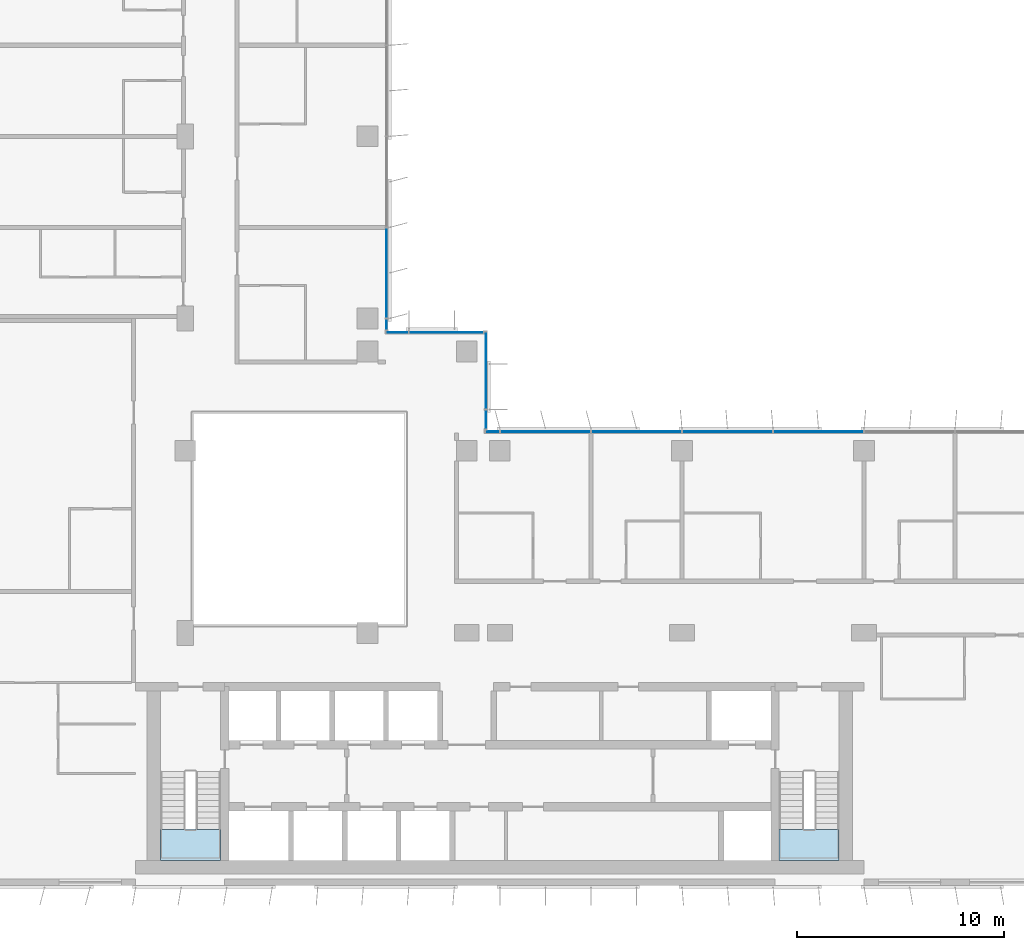
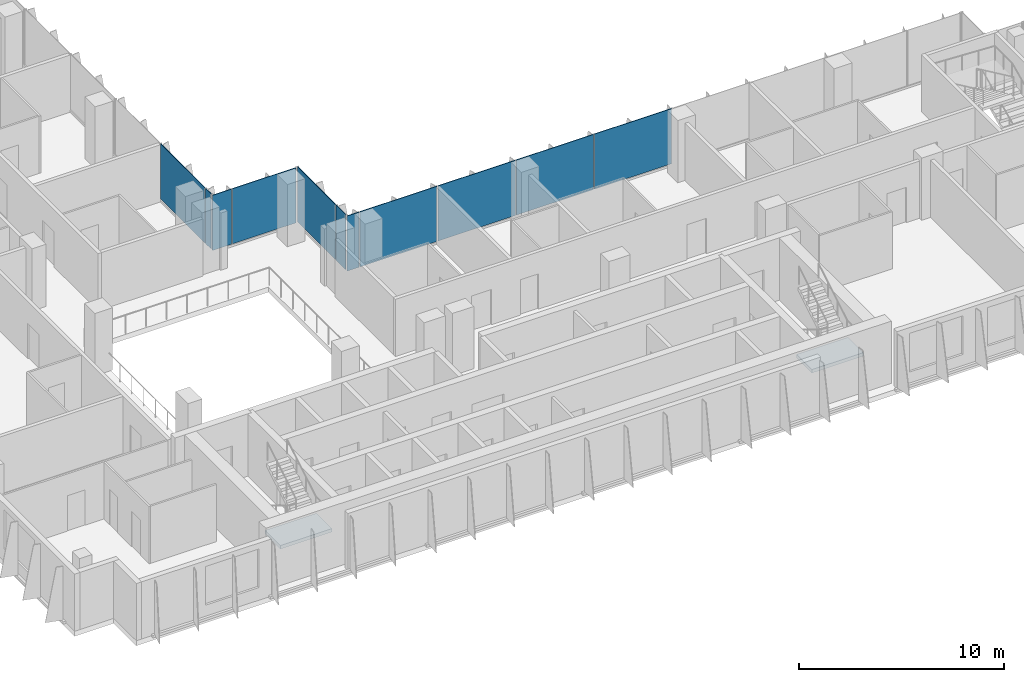
# One storey, part 10 of 21: 11 plates, 2 slabs, 6 elements without a shape of their own.
"""IFC4 building model written with IfcOpenShell, lengths in metres."""

from ifc_helpers import new_model, si_unit, direction, frame, origin, origin_2d, place, context, subcontext, project, spatial, polyline, rectangle, outline, extrude, source, transform, mapped, material, layer, layer_set, type_object, element, aggregate, save


model = new_model("IFC4")

# Units and contexts
model_context = context("Model", 3, precision=1e-05, world=origin(), true_north=direction((0.0, 1.0)))
body_context = subcontext(model_context, "Body", "Model", "MODEL_VIEW")
ifc_project = project(units=[si_unit("LENGTHUNIT", "METRE"), si_unit("AREAUNIT", "SQUARE_METRE"), si_unit("VOLUMEUNIT", "CUBIC_METRE"), si_unit("PLANEANGLEUNIT", "RADIAN"), si_unit("MASSUNIT", "GRAM", prefix="KILO")], contexts=[model_context])

# Site, building, storey
site_placement = place(None, origin())
site = spatial("IfcSite", under=ifc_project, at=site_placement, CompositionType="ELEMENT")
building_placement = place(site_placement, origin())
building = spatial("IfcBuilding", under=site, at=building_placement, Name="Kemantara Hotel Tower", CompositionType="ELEMENT")
storey_placement = place(building_placement, frame((0.0, 0.0, 160.5)))
storey = spatial("IfcBuildingStorey", under=building, at=storey_placement, Name="L39", CompositionType="ELEMENT", Elevation=160.5)

# Stair, slab
ifc_material_1 = material(Name="Concrete fc 40 MPa", Category="concrete")
stair_type = type_object("IfcStairType", Name="Stair 1200 wide 22 risers of 168 x 280 mm", PredefinedType="HALF_TURN_STAIR", material=ifc_material_1)
stair_1_placement = place(storey_placement, origin())
stair_1 = element("IfcStair", 1, at=stair_1_placement, inside=storey, type_object=stair_type, Name="L39 Exit stair ST1", PredefinedType="HALF_TURN_STAIR")
ifc_layer_1 = layer(ifc_material_1, 0.199951171875)
ifc_layer_set_1 = layer_set([ifc_layer_1], Name="Concrete fc 40 MPa")
slab_type = type_object("IfcSlabType", Name="Stair landing 200 mm", PredefinedType="LANDING", material=ifc_layer_set_1)
slab_1_placement = place(storey_placement, frame((0.0, 0.0, 1.64990234375)))
slab_1 = element("IfcSlab", 2, at=slab_1_placement, type_object=slab_type, Name="ST1 landing 1", PredefinedType="LANDING", context=body_context, shape_type="SweptSolid", body=[
    extrude(outline(polyline([(11.0, 2.699951171875), (11.0, 1.199951171875), (13.89990234375, 1.199951171875), (13.89990234375, 2.699951171875), (11.0, 2.699951171875)])), origin(), (0.0, 0.0, 1.0), 0.2001953125),
])
aggregate(stair_1, [slab_1])

stair_2_placement = place(storey_placement, origin())
stair_2 = element("IfcStair", 3, at=stair_2_placement, inside=storey, type_object=stair_type, Name="L39 Exit stair ST2", PredefinedType="HALF_TURN_STAIR")
slab_2_placement = place(storey_placement, frame((0.0, 0.0, 1.64990234375)))
slab_2 = element("IfcSlab", 4, at=slab_2_placement, type_object=slab_type, Name="ST2 landing 1", PredefinedType="LANDING", context=body_context, shape_type="SweptSolid", body=[
    extrude(outline(polyline([(40.89990234375, 2.699951171875), (40.89990234375, 1.199951171875), (43.800048828125, 1.199951171875), (43.800048828125, 2.699951171875), (40.89990234375, 2.699951171875)])), origin(), (0.0, 0.0, 1.0), 0.2001953125),
])
aggregate(stair_2, [slab_2])

# Curtain wall, plates
ifc_material_2 = material(Name="Low-E tinted double insulated glass 36 mm", Category="glass")
curtain_wall_type = type_object("IfcCurtainWallType", Name="TOWER CURTAIN WALL, FRONT FACES", PredefinedType="USERDEFINED", material=ifc_material_2)
curtain_wall_1_placement = place(storey_placement, origin())
curtain_wall_1 = element("IfcCurtainWall", 5, at=curtain_wall_1_placement, inside=storey, type_object=curtain_wall_type, Name="CW4 L39 T3-R14-1", ObjectType="TOWER CURTAIN WALL, FRONT FACES", PredefinedType="USERDEFINED")
ifc_layer_2 = layer(ifc_material_2, 0.035888671875)
ifc_layer_set_2 = layer_set([ifc_layer_2], Name="Low-E tinted double insulated glass 36 mm")
plate_type = type_object("IfcPlateType", Name="TOWER CURTAIN WALL, FRONT FACES PANEL", PredefinedType="CURTAIN_PANEL", material=ifc_layer_set_2)
shared_shape_1 = source(origin(), body_context, "Body", "SweptSolid", [
    extrude(rectangle(XDim=4.340087890625, YDim=0.035888671875, at=origin_2d()), origin(), (0.0, 0.0, 1.0), 3.280029296875),
])
plate_1_placement = place(storey_placement, frame((42.800048828125, 21.925048828125, 0.1201171875), z_axis=(0.0, 0.0, 1.0), x_axis=(-1.0, 0.0, 0.0)))
plate_1 = element("IfcPlate", 6, at=plate_1_placement, type_object=plate_type, Name="CW4 glass panel T3-R14-1.5", PredefinedType="CURTAIN_PANEL", context=body_context, shape_type="MappedRepresentation", body=[
    mapped(shared_shape_1, transform((0.0, 0.0, 0.0))),
])
plate_2_placement = place(storey_placement, frame((38.39990234375, 21.925048828125, 0.1201171875), z_axis=(0.0, 0.0, 1.0), x_axis=(-1.0, 0.0, 0.0)))
plate_2 = element("IfcPlate", 7, at=plate_2_placement, type_object=plate_type, Name="CW4 glass panel T3-R14-1.6", PredefinedType="CURTAIN_PANEL", context=body_context, shape_type="MappedRepresentation", body=[
    mapped(shared_shape_1, transform((0.0, 0.0, 0.0))),
])
plate_3_placement = place(storey_placement, frame((34.0, 21.925048828125, 0.1201171875), z_axis=(0.0, 0.0, 1.0), x_axis=(-1.0, 0.0, 0.0)))
plate_3 = element("IfcPlate", 8, at=plate_3_placement, type_object=plate_type, Name="CW4 glass panel T3-R14-1.7", PredefinedType="CURTAIN_PANEL", context=body_context, shape_type="MappedRepresentation", body=[
    mapped(shared_shape_1, transform((0.0, 0.0, 0.0))),
])
plate_4_placement = place(storey_placement, frame((29.60009765625, 21.925048828125, 0.1201171875), z_axis=(0.0, 0.0, 1.0), x_axis=(-1.0, 0.0, 0.0)))
plate_4 = element("IfcPlate", 9, at=plate_4_placement, type_object=plate_type, Name="CW4 glass panel T3-R14-1.8", PredefinedType="CURTAIN_PANEL", context=body_context, shape_type="MappedRepresentation", body=[
    mapped(shared_shape_1, transform((0.0, 0.0, 0.0))),
])

# Curtain wall, plate
curtain_wall_2_placement = place(storey_placement, origin())
curtain_wall_2 = element("IfcCurtainWall", 10, at=curtain_wall_2_placement, inside=storey, type_object=curtain_wall_type, Name="CW4 L39 T3-R17-1", ObjectType="TOWER CURTAIN WALL, FRONT FACES", PredefinedType="USERDEFINED")
plate_5_placement = place(storey_placement, frame((21.925048828125, 29.60009765625, 0.1201171875), z_axis=(0.0, 0.0, 1.0), x_axis=(0.0, 1.0, 0.0)))
plate_5 = element("IfcPlate", 11, at=plate_5_placement, type_object=plate_type, Name="CW4 glass panel T3-R17-1.2", PredefinedType="CURTAIN_PANEL", context=body_context, shape_type="MappedRepresentation", body=[
    mapped(shared_shape_1, transform((0.0, 0.0, 0.0))),
])

# Plate
shared_shape_2 = source(origin(), body_context, "Body", "SweptSolid", [
    extrude(rectangle(XDim=0.659912109375, YDim=0.035888671875, at=origin_2d()), origin(), (0.0, 0.0, 1.0), 3.280029296875),
])
plate_6_placement = place(storey_placement, frame((27.0400390625, 21.925048828125, 0.1201171875), z_axis=(0.0, 0.0, 1.0), x_axis=(-1.0, 0.0, 0.0)))
plate_6 = element("IfcPlate", 12, at=plate_6_placement, type_object=plate_type, Name="CW4 glass panel T3-R14-1.9", PredefinedType="CURTAIN_PANEL", context=body_context, shape_type="MappedRepresentation", body=[
    mapped(shared_shape_2, transform((0.0, 0.0, 0.0))),
])

aggregate(curtain_wall_1, [plate_1, plate_2, plate_3, plate_4, plate_6])

shared_shape_3 = source(origin(), body_context, "Body", "SweptSolid", [
    extrude(rectangle(XDim=0.510009765625, YDim=0.035888671875, at=origin_2d()), origin(), (0.0, 0.0, 1.0), 3.280029296875),
])
plate_7_placement = place(storey_placement, frame((21.925048828125, 27.114990234375, 0.1201171875), z_axis=(0.0, 0.0, 1.0), x_axis=(0.0, 1.0, 0.0)))
plate_7 = element("IfcPlate", 13, at=plate_7_placement, type_object=plate_type, Name="CW4 glass panel T3-R17-1.1", PredefinedType="CURTAIN_PANEL", context=body_context, shape_type="MappedRepresentation", body=[
    mapped(shared_shape_3, transform((0.0, 0.0, 0.0))),
])

aggregate(curtain_wall_2, [plate_7, plate_5])

# Curtain wall, plates
curtain_wall_3_placement = place(storey_placement, origin())
curtain_wall_3 = element("IfcCurtainWall", 14, at=curtain_wall_3_placement, inside=storey, type_object=curtain_wall_type, Name="CW4 L39 T3-R15-1", ObjectType="TOWER CURTAIN WALL, FRONT FACES", PredefinedType="USERDEFINED")
shared_shape_4 = source(origin(), body_context, "Body", "SweptSolid", [
    extrude(rectangle(XDim=0.909912109375, YDim=0.035888671875, at=origin_2d()), origin(), (0.0, 0.0, 1.0), 3.280029296875),
])
plate_8_placement = place(storey_placement, frame((26.72509765625, 22.514892578125, 0.1201171875), z_axis=(0.0, 0.0, 1.0), x_axis=(0.0, 1.0, 0.0)))
plate_8 = element("IfcPlate", 15, at=plate_8_placement, type_object=plate_type, Name="CW4 glass panel T3-R15-1.1", PredefinedType="CURTAIN_PANEL", context=body_context, shape_type="MappedRepresentation", body=[
    mapped(shared_shape_4, transform((0.0, 0.0, 0.0))),
])
shared_shape_5 = source(origin(), body_context, "Body", "SweptSolid", [
    extrude(rectangle(XDim=3.7099609375, YDim=0.035888671875, at=origin_2d()), origin(), (0.0, 0.0, 1.0), 3.280029296875),
])
plate_9_placement = place(storey_placement, frame((26.72509765625, 24.885009765625, 0.1201171875), z_axis=(0.0, 0.0, 1.0), x_axis=(0.0, 1.0, 0.0)))
plate_9 = element("IfcPlate", 16, at=plate_9_placement, type_object=plate_type, Name="CW4 glass panel T3-R15-1.2", PredefinedType="CURTAIN_PANEL", context=body_context, shape_type="MappedRepresentation", body=[
    mapped(shared_shape_5, transform((0.0, 0.0, 0.0))),
])
aggregate(curtain_wall_3, [plate_8, plate_9])

curtain_wall_4_placement = place(storey_placement, origin())
curtain_wall_4 = element("IfcCurtainWall", 17, at=curtain_wall_4_placement, inside=storey, type_object=curtain_wall_type, Name="CW4 L39 T3-R16-1", ObjectType="TOWER CURTAIN WALL, FRONT FACES", PredefinedType="USERDEFINED")
shared_shape_6 = source(origin(), body_context, "Body", "SweptSolid", [
    extrude(rectangle(XDim=3.56005859375, YDim=0.035888671875, at=origin_2d()), origin(), (0.0, 0.0, 1.0), 3.280029296875),
])
plate_10_placement = place(storey_placement, frame((24.81005859375, 26.72509765625, 0.1201171875), z_axis=(0.0, 0.0, 1.0), x_axis=(-1.0, 0.0, 0.0)))
plate_10 = element("IfcPlate", 18, at=plate_10_placement, type_object=plate_type, Name="CW4 glass panel T3-R16-1.1", PredefinedType="CURTAIN_PANEL", context=body_context, shape_type="MappedRepresentation", body=[
    mapped(shared_shape_6, transform((0.0, 0.0, 0.0))),
])
shared_shape_7 = source(origin(), body_context, "Body", "SweptSolid", [
    extrude(rectangle(XDim=1.06005859375, YDim=0.035888671875, at=origin_2d()), origin(), (0.0, 0.0, 1.0), 3.280029296875),
])
plate_11_placement = place(storey_placement, frame((22.43994140625, 26.72509765625, 0.1201171875), z_axis=(0.0, 0.0, 1.0), x_axis=(-1.0, 0.0, 0.0)))
plate_11 = element("IfcPlate", 19, at=plate_11_placement, type_object=plate_type, Name="CW4 glass panel T3-R16-1.2", PredefinedType="CURTAIN_PANEL", context=body_context, shape_type="MappedRepresentation", body=[
    mapped(shared_shape_7, transform((0.0, 0.0, 0.0))),
])
aggregate(curtain_wall_4, [plate_10, plate_11])

save(model, "model.ifc")
